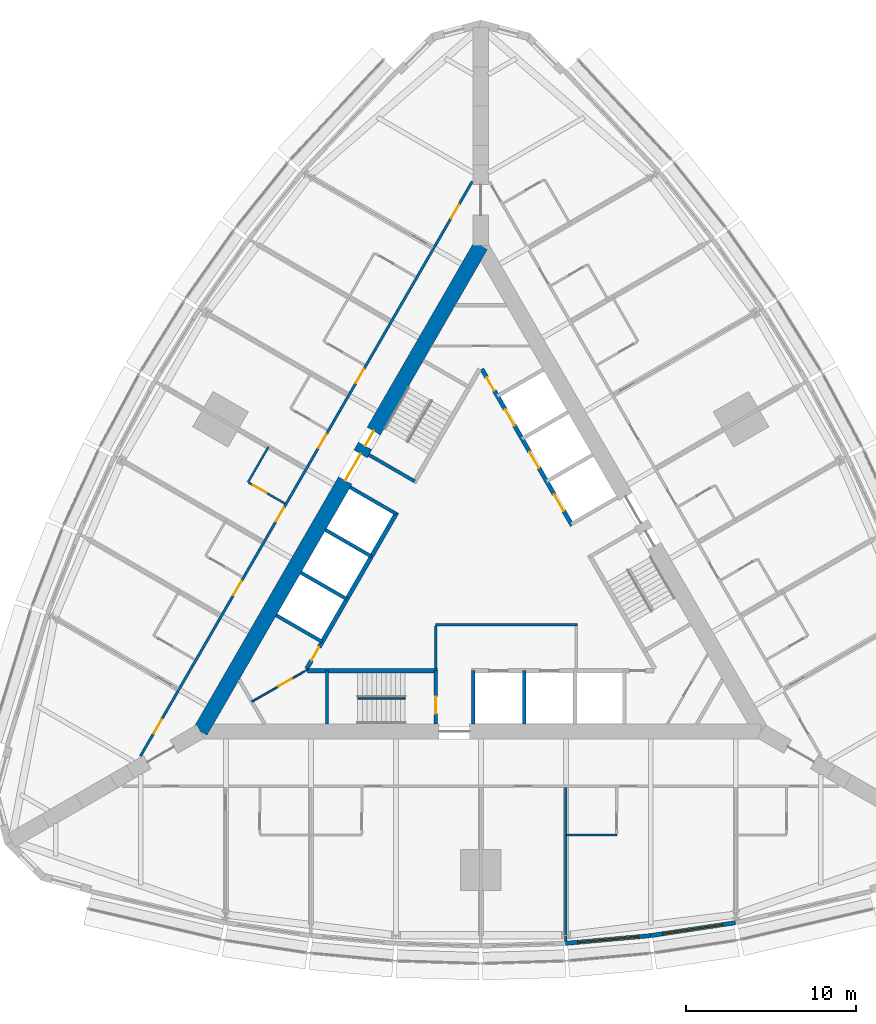
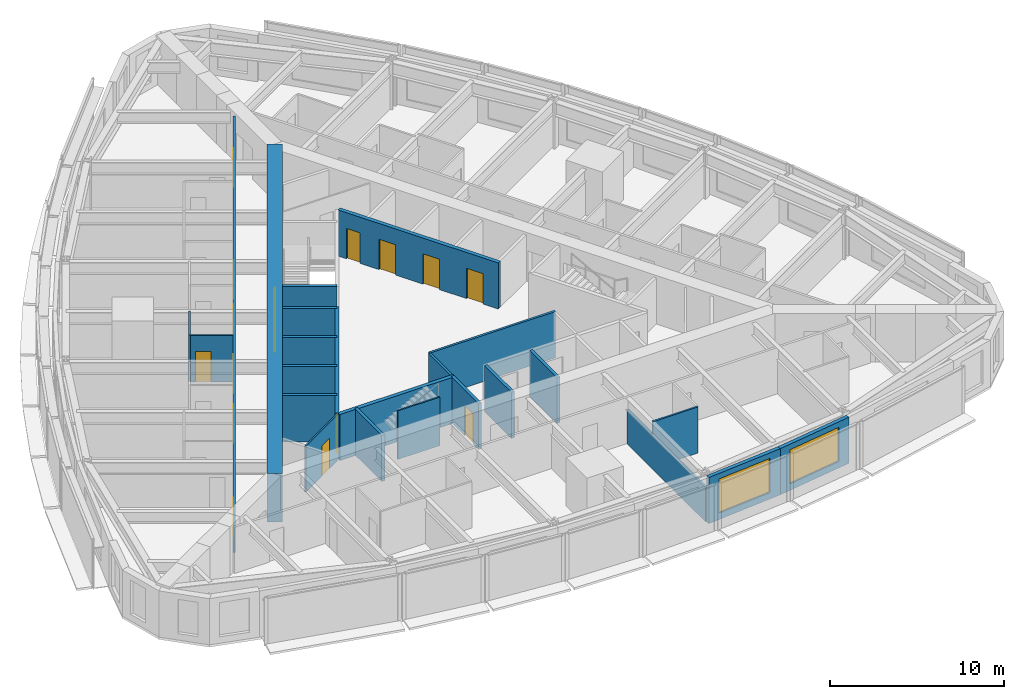
# One storey, part 9 of 14: 24 walls, 16 doors, 2 windows, 18 openings.
"""IFC4 building model written with IfcOpenShell, lengths in metres."""

import ifcopenshell
import ifcopenshell.guid

model = None  # the IFC model being written
_history = None  # IfcOwnerHistory: only IFC2X3 demands one
_inside = {}  # id of a spatial element -> (the spatial element, [elements in it])
_under = {}  # id of a project, library or spatial element -> (it, [spatial elements below it])
_declared = {}  # id of a project -> (the project, [libraries it declares])
_typed = {}  # id of a type object -> (the type object, [elements of that type])
_made_of = {}  # id of a material, layer set ... -> (it, [elements and type objects made of it])


def new_model(schema):
    """Start an empty IFC model of exactly this schema.

    Asked for "IFC4X3", IfcOpenShell would pick the latest addendum, in which some entities
    have other attributes; the version numbers below select the first issue.
    IFC2X3 requires an IfcOwnerHistory on every rooted entity: one is made here for all.
    """
    global model, _history
    if schema == "IFC4X3":
        model = ifcopenshell.file(schema_version=(4, 3, 0, 0))
    else:
        model = ifcopenshell.file(schema=schema)
    _inside.clear()
    _under.clear()
    _declared.clear()
    _typed.clear()
    _made_of.clear()
    _history = None
    if model.schema == "IFC2X3":
        org = make("IfcOrganization", Name="unknown")
        user = make(
            "IfcPersonAndOrganization",
            ThePerson=make("IfcPerson", FamilyName="unknown"),
            TheOrganization=org,
        )
        app = make(
            "IfcApplication",
            ApplicationDeveloper=org,
            Version="unknown",
            ApplicationFullName="unknown",
            ApplicationIdentifier="unknown",
        )
        _history = make(
            "IfcOwnerHistory",
            OwningUser=user,
            OwningApplication=app,
            ChangeAction="ADDED",
            CreationDate=0,
        )
    return model


def make(cls, **values):
    """One entity of the class cls with the attributes given. An attribute that is None is left unset."""
    return model.create_entity(
        cls, **{name: value for name, value in values.items() if value is not None}
    )


def rooted(cls, **values):
    """An entity with a GlobalId (a new one), such as an element, a storey or a relation."""
    return make(cls, GlobalId=ifcopenshell.guid.new(), OwnerHistory=_history, **values)


def si_unit(unit_type, name, prefix=None):
    """IfcSIUnit, for example si_unit("LENGTHUNIT", "METRE", prefix="MILLI")."""
    return make("IfcSIUnit", UnitType=unit_type, Prefix=prefix, Name=name)


def assignment(units):
    """IfcUnitAssignment: the units of a project."""
    return None if units is None else make("IfcUnitAssignment", Units=units)


def point(xyz):
    """IfcCartesianPoint."""
    return None if xyz is None else make("IfcCartesianPoint", Coordinates=xyz)


def direction(xyz):
    """IfcDirection."""
    return None if xyz is None else make("IfcDirection", DirectionRatios=xyz)


def frame(location, z_axis=None, x_axis=None):
    """IfcAxis2Placement3D, a coordinate frame: its origin and axes. An axis left out is left unset."""
    return make(
        "IfcAxis2Placement3D",
        Location=point(location),
        Axis=direction(z_axis),
        RefDirection=direction(x_axis),
    )


def frame_2d(location, x_axis=None):
    """IfcAxis2Placement2D, a coordinate frame in the plane: its origin and x axis."""
    return make(
        "IfcAxis2Placement2D", Location=point(location), RefDirection=direction(x_axis)
    )


def origin():
    """The frame at (0, 0, 0) with its axes left unset."""
    return frame((0.0, 0.0, 0.0))


def place(relative_to, where):
    """IfcLocalPlacement: puts the frame where relative to a parent placement (None: the world)."""
    return make(
        "IfcLocalPlacement", PlacementRelTo=relative_to, RelativePlacement=where
    )


def context(
    kind, dimensions, precision=None, world=None, true_north=None, identifier=None
):
    """IfcGeometricRepresentationContext, for example the 3D "Model" context."""
    return make(
        "IfcGeometricRepresentationContext",
        ContextIdentifier=identifier,
        ContextType=kind,
        CoordinateSpaceDimension=dimensions,
        Precision=precision,
        WorldCoordinateSystem=world,
        TrueNorth=true_north,
    )


def subcontext(parent, identifier, kind, view, scale=None):
    """IfcGeometricRepresentationSubContext, for example "Body" below "Model"."""
    return make(
        "IfcGeometricRepresentationSubContext",
        ContextIdentifier=identifier,
        ContextType=kind,
        ParentContext=parent,
        TargetScale=scale,
        TargetView=view,
    )


def project(units=None, contexts=None):
    """IfcProject with its units and contexts."""
    return rooted(
        "IfcProject",
        Name="project",
        RepresentationContexts=contexts,
        UnitsInContext=assignment(units),
    )


def spatial(cls, under=None, at=None, **own):
    """A site, building, storey or space (cls), placed at a placement, below another one or the project."""
    s = rooted(cls, ObjectPlacement=at, **own)
    if under is not None:
        _under.setdefault(under.id(), (under, []))[1].append(s)
    return s


def profile(cls, at=None, kind="AREA", **sizes):
    """A parametric profile (cls). Its sizes go by their IFC names, for example OverallWidth=200.0."""
    return make(cls, ProfileType=kind, Position=at, **sizes)


def rectangle(**sizes):
    """IfcRectangleProfileDef."""
    return profile("IfcRectangleProfileDef", **sizes)


def extrude(swept, where, along, depth):
    """IfcExtrudedAreaSolid: the profile swept, set in the frame where, extruded along a direction by depth."""
    return make(
        "IfcExtrudedAreaSolid",
        SweptArea=swept,
        Position=where,
        ExtrudedDirection=direction(along),
        Depth=depth,
    )


def shape(context_of_items, identifier, shape_type, items):
    """IfcShapeRepresentation: the items that make up one representation, for example the "Body"."""
    return make(
        "IfcShapeRepresentation",
        ContextOfItems=context_of_items,
        RepresentationIdentifier=identifier,
        RepresentationType=shape_type,
        Items=items,
    )


def material(Name=None, Category=None):
    """IfcMaterial."""
    return make("IfcMaterial", Name=Name, Category=Category)


def layer(
    of_material, thickness, ventilated=None, Name=None, Category=None, Priority=None
):
    """IfcMaterialLayer: one layer of a wall or slab, of a material (None: an air gap)."""
    return make(
        "IfcMaterialLayer",
        Material=of_material,
        LayerThickness=thickness,
        IsVentilated=ventilated,
        Name=Name,
        Category=Category,
        Priority=Priority,
    )


def layer_set(layers, Name=None):
    """IfcMaterialLayerSet."""
    return make("IfcMaterialLayerSet", MaterialLayers=layers, LayerSetName=Name)


def made_of(thing, what):
    """Note that an element or type object is made of a material, layer set ...; save() writes the relation."""
    if what is not None:
        _made_of.setdefault(what.id(), (what, []))[1].append(thing)
    return thing


def type_object(cls, material=None, **own):
    """A type object (cls), such as IfcWallType, which elements share."""
    return made_of(rooted(cls, **own), material)


def element(
    cls,
    number,
    at=None,
    inside=None,
    cuts=None,
    type_object=None,
    material=None,
    context=None,
    identifier="Body",
    shape_type=None,
    held_by="IfcProductDefinitionShape",
    body=None,
    shapes=None,
    **own,
):
    """One element of the class cls, such as IfcWall. Its Tag is "e" and its number.

    at: its placement. inside: the storey or other place that contains it. cuts: it is an
    opening in that element (IfcRelVoidsElement). A single representation is given by context,
    identifier, shape_type and body (its items); several are given by shapes. held_by: the class
    of the entity that holds the representations. save() writes the other relations.
    """
    e = rooted(cls, Tag="e%d" % number, ObjectPlacement=at, **own)
    if body is not None:
        shapes = [shape(context, identifier, shape_type, body)]
    if shapes is not None:
        e.Representation = make(held_by, Representations=shapes)
    if inside is not None:
        _inside.setdefault(inside.id(), (inside, []))[1].append(e)
    if cuts is not None:
        rooted(
            "IfcRelVoidsElement", RelatingBuildingElement=cuts, RelatedOpeningElement=e
        )
    if type_object is not None:
        _typed.setdefault(type_object.id(), (type_object, []))[1].append(e)
    return made_of(e, material)


def fill(opening, filler):
    """IfcRelFillsElement: the door or window that sits in an opening."""
    return rooted(
        "IfcRelFillsElement",
        RelatingOpeningElement=opening,
        RelatedBuildingElement=filler,
    )


def aggregate(whole, parts):
    """IfcRelAggregates: a whole, such as a stair, and the parts it consists of."""
    return rooted("IfcRelAggregates", RelatingObject=whole, RelatedObjects=parts)


def save(model, path):
    """Write the relations noted so far, then the file.

    IfcRelAggregates (storeys below a building ...), IfcRelContainedInSpatialStructure (elements
    in a storey), IfcRelDefinesByType, IfcRelAssociatesMaterial and IfcRelDeclares: one each for
    every whole, place, type object, material and project.
    """
    for whole, parts in _under.values():
        aggregate(whole, parts)
    for where, things in _inside.values():
        rooted(
            "IfcRelContainedInSpatialStructure",
            RelatedElements=things,
            RelatingStructure=where,
        )
    for kind, things in _typed.values():
        rooted("IfcRelDefinesByType", RelatedObjects=things, RelatingType=kind)
    for what, things in _made_of.values():
        rooted("IfcRelAssociatesMaterial", RelatedObjects=things, RelatingMaterial=what)
    for by, libraries in _declared.values():
        rooted("IfcRelDeclares", RelatingContext=by, RelatedDefinitions=libraries)
    model.write(path)


model = new_model("IFC4")

# Units and contexts
model_context = context("Model", 3, precision=1e-05, world=origin(), true_north=direction((0.0, 1.0)))
body_context = subcontext(model_context, "Body", "Model", "MODEL_VIEW")
ifc_project = project(units=[si_unit("LENGTHUNIT", "METRE"), si_unit("AREAUNIT", "SQUARE_METRE"), si_unit("VOLUMEUNIT", "CUBIC_METRE"), si_unit("PLANEANGLEUNIT", "RADIAN"), si_unit("MASSUNIT", "GRAM", prefix="KILO")], contexts=[model_context])

# Site, building, storey
site_placement = place(None, origin())
site = spatial("IfcSite", under=ifc_project, at=site_placement, CompositionType="ELEMENT")
building_placement = place(site_placement, origin())
building = spatial("IfcBuilding", under=site, at=building_placement, Name="Trikona Tower", CompositionType="ELEMENT")
storey_placement = place(building_placement, frame((0.0, 0.0, 55.699951171875)))
storey = spatial("IfcBuildingStorey", under=building, at=storey_placement, Name="L13", CompositionType="ELEMENT", Elevation=55.699951171875)

# Walls
ifc_material_1 = material(Name="Metal stud and cement board", Category="gypsum")
ifc_layer_1 = layer(ifc_material_1, 0.1201171875)
ifc_layer_set_1 = layer_set([ifc_layer_1], Name="Bathroom wall 120")
wall_type_1 = type_object("IfcWallType", Name="Bathroom wall 120", PredefinedType="PLUMBINGWALL", material=ifc_layer_set_1)
wall_1_placement = place(storey_placement, frame((5.0, -15.626220703125, 0.0), z_axis=(0.0, 0.0, 1.0), x_axis=(1.0, 0.0, 0.0)))
element("IfcWall", 1, at=wall_1_placement, inside=storey, type_object=wall_type_1, Name="Bathroom wall 1303", PredefinedType="PLUMBINGWALL", context=body_context, shape_type="SweptSolid", body=[
    extrude(rectangle(XDim=3.0, YDim=0.1201171875, at=frame_2d((1.5, 0.0))), origin(), (0.0, 0.0, 1.0), 3.235107421875),
])
wall_2_placement = place(storey_placement, frame((-12.493408203125, 7.213134765625, 0.0), z_axis=(0.0, 0.0, 1.0), x_axis=(-0.500077600433, -0.865980596518, 0.0)))
element("IfcWall", 2, at=wall_2_placement, inside=storey, type_object=wall_type_1, Name="Bathroom wall 1314", PredefinedType="PLUMBINGWALL", context=body_context, shape_type="SweptSolid", body=[
    extrude(rectangle(XDim=2.39990234375, YDim=0.1201171875, at=frame_2d((1.199951171875, 0.0))), origin(), (0.0, 0.0, 1.0), 3.235107421875),
])

# Wall, opening, door
wall_3_placement = place(storey_placement, frame((-11.528564453125, 3.884765625, 0.0), z_axis=(0.0, 0.0, 1.0), x_axis=(-0.866023955769, 0.500002508028, 0.0)))
wall_3 = element("IfcWall", 3, at=wall_3_placement, inside=storey, type_object=wall_type_1, Name="Bathroom wall 1314", PredefinedType="PLUMBINGWALL", context=body_context, shape_type="SweptSolid", body=[
    extrude(rectangle(XDim=2.43994140625, YDim=0.1201171875, at=frame_2d((1.219970703125, 0.0))), origin(), (0.0, 0.0, 1.0), 3.235107421875),
])
opening_1_placement = place(wall_3_placement, frame((1.25, 0.0, 0.0)))
opening_1 = element("IfcOpeningElement", 4, at=opening_1_placement, cuts=wall_3, Name="Opening D2", PredefinedType="OPENING", context=body_context, shape_type="SweptSolid", body=[
    extrude(rectangle(XDim=0.89990234375, YDim=2.1298828125, at=frame_2d((0.449951171875, 1.06494140625))), frame((0.0, 0.070068359375, 0.0), z_axis=(0.0, -1.0, 0.0), x_axis=(1.0, 0.0, 0.0)), (0.0, 0.0, 1.0), 0.14013671875),
])
ifc_material_2 = material(Name="Steel door frame with solid-core timber leaf", Category="steel")
door_type_1 = type_object("IfcDoorType", Name="Bathroom door 900x2130", OperationType="SLIDING_TO_LEFT", PredefinedType="DOOR", material=ifc_material_2)
door_1_placement = place(opening_1_placement, origin())
door_1 = element("IfcDoor", 5, at=door_1_placement, inside=storey, type_object=door_type_1, Name="Bathroom door 1314", OperationType="SLIDING_TO_LEFT", OverallHeight=2.1298828125, OverallWidth=0.89990234375, PredefinedType="DOOR", context=body_context, shape_type="SweptSolid", body=[
    extrude(rectangle(XDim=0.89990234375, YDim=2.1298828125, at=frame_2d((0.449951171875, 1.06494140625))), frame((0.0, 0.02490234375, 0.0), z_axis=(0.0, -1.0, 0.0), x_axis=(1.0, 0.0, 0.0)), (0.0, 0.0, 1.0), 0.050048828125),
])
fill(opening_1, door_1)

# Wall, openings, doors
ifc_material_3 = material(Name="Concrete f'c 10000 psi", Category="concrete")
ifc_layer_2 = layer(ifc_material_3, 0.89990234375)
ifc_layer_set_2 = layer_set([ifc_layer_2], Name="Core wall 900")
wall_type_2 = type_object("IfcWallType", Name="Core wall 900", PredefinedType="SHEAR", material=ifc_layer_set_2)
wall_4_placement = place(storey_placement, frame((0.0, 19.052490234375, 0.0), z_axis=(0.0, 0.0, 1.0), x_axis=(-0.499999749417, -0.866025548458, 0.0)))
wall_4 = element("IfcWall", 6, at=wall_4_placement, inside=storey, type_object=wall_type_2, Name="Core wall C", PredefinedType="SHEAR", context=body_context, shape_type="SweptSolid", body=[
    extrude(rectangle(XDim=33.0, YDim=0.89990234375, at=frame_2d((16.5, 0.0))), origin(), (0.0, 0.0, 1.0), 3.400146484375),
])
opening_2_placement = place(wall_4_placement, frame((14.14990234375, 0.0, 0.0)))
opening_2 = element("IfcOpeningElement", 7, at=opening_2_placement, cuts=wall_4, Name="Opening D6", PredefinedType="OPENING", context=body_context, shape_type="SweptSolid", body=[
    extrude(rectangle(XDim=1.800048828125, YDim=2.1298828125, at=frame_2d((0.89990234375, 1.06494140625))), frame((0.0, 0.4599609375, 0.0), z_axis=(0.0, -1.0, 0.0), x_axis=(1.0, 0.0, 0.0)), (0.0, 0.0, 1.0), 0.919921875),
])
opening_3_placement = place(wall_4_placement, frame((12.60009765625, 0.0, 0.0)))
opening_3 = element("IfcOpeningElement", 8, at=opening_3_placement, cuts=wall_4, Name="Opening D5", PredefinedType="OPENING", context=body_context, shape_type="SweptSolid", body=[
    extrude(rectangle(XDim=1.0, YDim=2.1298828125, at=frame_2d((0.5, 1.06494140625))), frame((0.0, 0.4599609375, 0.0), z_axis=(0.0, -1.0, 0.0), x_axis=(1.0, 0.0, 0.0)), (0.0, 0.0, 1.0), 0.919921875),
])
ifc_material_4 = material(Name="Hollow metal door and frame", Category="steel")
door_type_2 = type_object("IfcDoorType", Name="Lobby door pair 1800x2130", OperationType="DOUBLE_DOOR_SINGLE_SWING", PredefinedType="DOOR", material=ifc_material_4)
door_2_placement = place(opening_2_placement, origin())
door_2 = element("IfcDoor", 9, at=door_2_placement, inside=storey, type_object=door_type_2, Name="Lift lobby door C", OperationType="DOUBLE_DOOR_SINGLE_SWING", OverallHeight=2.1298828125, OverallWidth=1.800048828125, PredefinedType="DOOR", context=body_context, shape_type="SweptSolid", body=[
    extrude(rectangle(XDim=1.800048828125, YDim=2.1298828125, at=frame_2d((0.89990234375, 1.06494140625))), frame((0.0, 0.02490234375, 0.0), z_axis=(0.0, -1.0, 0.0), x_axis=(1.0, 0.0, 0.0)), (0.0, 0.0, 1.0), 0.050048828125),
])
fill(opening_2, door_2)
ifc_material_5 = material(Name="Hollow metal door and frame", Category="steel")
door_type_3 = type_object("IfcDoorType", Name="Stair door 1000x2130", OperationType="SINGLE_SWING_LEFT", PredefinedType="DOOR", material=ifc_material_5)
door_3_placement = place(opening_3_placement, origin())
door_3 = element("IfcDoor", 10, at=door_3_placement, inside=storey, type_object=door_type_3, Name="Stair C door", OperationType="SINGLE_SWING_RIGHT", OverallHeight=2.1298828125, OverallWidth=1.0, PredefinedType="DOOR", context=body_context, shape_type="SweptSolid", body=[
    extrude(rectangle(XDim=1.0, YDim=2.1298828125, at=frame_2d((0.5, 1.06494140625))), frame((0.0, 0.02490234375, 0.0), z_axis=(0.0, -1.0, 0.0), x_axis=(1.0, 0.0, 0.0)), (0.0, 0.0, 1.0), 0.050048828125),
])
fill(opening_3, door_3)

ifc_material_6 = material(Name="Metal stud and gypsum board, 1-hour", Category="gypsum")
ifc_layer_3 = layer(ifc_material_6, 0.14990234375)
ifc_layer_set_3 = layer_set([ifc_layer_3], Name="Corridor wall 150")
wall_type_3 = type_object("IfcWallType", Name="Corridor wall 150", PredefinedType="PARTITIONING", material=ifc_layer_set_3)
wall_5_placement = place(storey_placement, frame((-0.5, 22.83642578125, 0.0), z_axis=(0.0, 0.0, 1.0), x_axis=(-0.500001677587, -0.866024435227, 0.0)))
wall_5 = element("IfcWall", 11, at=wall_5_placement, inside=storey, type_object=wall_type_3, Name="Corridor wall L13-3", PredefinedType="PARTITIONING", context=body_context, shape_type="SweptSolid", body=[
    extrude(rectangle(XDim=39.053955078125, YDim=0.14990234375, at=frame_2d((19.52685546875, 0.0))), origin(), (0.0, 0.0, 1.0), 3.235107421875),
])
opening_4_placement = place(wall_5_placement, frame((1.558349609375, 0.0, 0.0)))
opening_4 = element("IfcOpeningElement", 12, at=opening_4_placement, cuts=wall_5, Name="Opening D1", PredefinedType="OPENING", context=body_context, shape_type="SweptSolid", body=[
    extrude(rectangle(XDim=0.949951171875, YDim=2.1298828125, at=frame_2d((0.47509765625, 1.06494140625))), frame((0.0, 0.0849609375, 0.0), z_axis=(0.0, -1.0, 0.0), x_axis=(1.0, 0.0, 0.0)), (0.0, 0.0, 1.0), 0.169921875),
])
opening_5_placement = place(wall_5_placement, frame((12.751953125, 0.0, 0.0)))
opening_5 = element("IfcOpeningElement", 13, at=opening_5_placement, cuts=wall_5, Name="Opening D1", PredefinedType="OPENING", context=body_context, shape_type="SweptSolid", body=[
    extrude(rectangle(XDim=0.949951171875, YDim=2.1298828125, at=frame_2d((0.47509765625, 1.06494140625))), frame((0.0, 0.0849609375, 0.0), z_axis=(0.0, -1.0, 0.0), x_axis=(1.0, 0.0, 0.0)), (0.0, 0.0, 1.0), 0.169921875),
])
opening_6_placement = place(wall_5_placement, frame((17.152099609375, 0.0, 0.0)))
opening_6 = element("IfcOpeningElement", 14, at=opening_6_placement, cuts=wall_5, Name="Opening D1", PredefinedType="OPENING", context=body_context, shape_type="SweptSolid", body=[
    extrude(rectangle(XDim=0.949951171875, YDim=2.1298828125, at=frame_2d((0.47509765625, 1.06494140625))), frame((0.0, 0.0849609375, 0.0), z_axis=(0.0, -1.0, 0.0), x_axis=(1.0, 0.0, 0.0)), (0.0, 0.0, 1.0), 0.169921875),
])
opening_7_placement = place(wall_5_placement, frame((22.152099609375, 0.0, 0.0)))
opening_7 = element("IfcOpeningElement", 15, at=opening_7_placement, cuts=wall_5, Name="Opening D1", PredefinedType="OPENING", context=body_context, shape_type="SweptSolid", body=[
    extrude(rectangle(XDim=0.949951171875, YDim=2.1298828125, at=frame_2d((0.47509765625, 1.06494140625))), frame((0.0, 0.0849609375, 0.0), z_axis=(0.0, -1.0, 0.0), x_axis=(1.0, 0.0, 0.0)), (0.0, 0.0, 1.0), 0.169921875),
])
opening_8_placement = place(wall_5_placement, frame((27.152099609375, 0.0, 0.0)))
opening_8 = element("IfcOpeningElement", 16, at=opening_8_placement, cuts=wall_5, Name="Opening D1", PredefinedType="OPENING", context=body_context, shape_type="SweptSolid", body=[
    extrude(rectangle(XDim=0.949951171875, YDim=2.1298828125, at=frame_2d((0.47509765625, 1.06494140625))), frame((0.0, 0.0849609375, 0.0), z_axis=(0.0, -1.0, 0.0), x_axis=(1.0, 0.0, 0.0)), (0.0, 0.0, 1.0), 0.169921875),
])
opening_9_placement = place(wall_5_placement, frame((36.545654296875, 0.0, 0.0)))
opening_9 = element("IfcOpeningElement", 17, at=opening_9_placement, cuts=wall_5, Name="Opening D1", PredefinedType="OPENING", context=body_context, shape_type="SweptSolid", body=[
    extrude(rectangle(XDim=0.949951171875, YDim=2.1298828125, at=frame_2d((0.47509765625, 1.06494140625))), frame((0.0, 0.0849609375, 0.0), z_axis=(0.0, -1.0, 0.0), x_axis=(1.0, 0.0, 0.0)), (0.0, 0.0, 1.0), 0.169921875),
])
ifc_material_7 = material(Name="Steel door frame with solid-core timber leaf", Category="steel")
door_type_4 = type_object("IfcDoorType", Name="Guest room door 950x2130", OperationType="SINGLE_SWING_LEFT", PredefinedType="DOOR", material=ifc_material_7)
door_4_placement = place(opening_4_placement, origin())
door_4 = element("IfcDoor", 18, at=door_4_placement, inside=storey, type_object=door_type_4, Name="Room door 1311", OperationType="SINGLE_SWING_LEFT", OverallHeight=2.1298828125, OverallWidth=0.949951171875, PredefinedType="DOOR", context=body_context, shape_type="SweptSolid", body=[
    extrude(rectangle(XDim=0.949951171875, YDim=2.1298828125, at=frame_2d((0.47509765625, 1.06494140625))), frame((0.0, 0.02490234375, 0.0), z_axis=(0.0, -1.0, 0.0), x_axis=(1.0, 0.0, 0.0)), (0.0, 0.0, 1.0), 0.050048828125),
])
fill(opening_4, door_4)
door_5_placement = place(opening_5_placement, origin())
door_5 = element("IfcDoor", 19, at=door_5_placement, inside=storey, type_object=door_type_4, Name="Room door 1312", OperationType="SINGLE_SWING_RIGHT", OverallHeight=2.1298828125, OverallWidth=0.949951171875, PredefinedType="DOOR", context=body_context, shape_type="SweptSolid", body=[
    extrude(rectangle(XDim=0.949951171875, YDim=2.1298828125, at=frame_2d((0.47509765625, 1.06494140625))), frame((0.0, 0.02490234375, 0.0), z_axis=(0.0, -1.0, 0.0), x_axis=(1.0, 0.0, 0.0)), (0.0, 0.0, 1.0), 0.050048828125),
])
fill(opening_5, door_5)
door_6_placement = place(opening_6_placement, origin())
door_6 = element("IfcDoor", 20, at=door_6_placement, inside=storey, type_object=door_type_4, Name="Room door 1313", OperationType="SINGLE_SWING_LEFT", OverallHeight=2.1298828125, OverallWidth=0.949951171875, PredefinedType="DOOR", context=body_context, shape_type="SweptSolid", body=[
    extrude(rectangle(XDim=0.949951171875, YDim=2.1298828125, at=frame_2d((0.47509765625, 1.06494140625))), frame((0.0, 0.02490234375, 0.0), z_axis=(0.0, -1.0, 0.0), x_axis=(1.0, 0.0, 0.0)), (0.0, 0.0, 1.0), 0.050048828125),
])
fill(opening_6, door_6)
door_7_placement = place(opening_7_placement, origin())
door_7 = element("IfcDoor", 21, at=door_7_placement, inside=storey, type_object=door_type_4, Name="Room door 1314", OperationType="SINGLE_SWING_RIGHT", OverallHeight=2.1298828125, OverallWidth=0.949951171875, PredefinedType="DOOR", context=body_context, shape_type="SweptSolid", body=[
    extrude(rectangle(XDim=0.949951171875, YDim=2.1298828125, at=frame_2d((0.47509765625, 1.06494140625))), frame((0.0, 0.02490234375, 0.0), z_axis=(0.0, -1.0, 0.0), x_axis=(1.0, 0.0, 0.0)), (0.0, 0.0, 1.0), 0.050048828125),
])
fill(opening_7, door_7)
door_8_placement = place(opening_8_placement, origin())
door_8 = element("IfcDoor", 22, at=door_8_placement, inside=storey, type_object=door_type_4, Name="Room door 1315", OperationType="SINGLE_SWING_LEFT", OverallHeight=2.1298828125, OverallWidth=0.949951171875, PredefinedType="DOOR", context=body_context, shape_type="SweptSolid", body=[
    extrude(rectangle(XDim=0.949951171875, YDim=2.1298828125, at=frame_2d((0.47509765625, 1.06494140625))), frame((0.0, 0.02490234375, 0.0), z_axis=(0.0, -1.0, 0.0), x_axis=(1.0, 0.0, 0.0)), (0.0, 0.0, 1.0), 0.050048828125),
])
fill(opening_8, door_8)
door_9_placement = place(opening_9_placement, origin())
door_9 = element("IfcDoor", 23, at=door_9_placement, inside=storey, type_object=door_type_4, Name="Room door 1316", OperationType="SINGLE_SWING_RIGHT", OverallHeight=2.1298828125, OverallWidth=0.949951171875, PredefinedType="DOOR", context=body_context, shape_type="SweptSolid", body=[
    extrude(rectangle(XDim=0.949951171875, YDim=2.1298828125, at=frame_2d((0.47509765625, 1.06494140625))), frame((0.0, 0.02490234375, 0.0), z_axis=(0.0, -1.0, 0.0), x_axis=(1.0, 0.0, 0.0)), (0.0, 0.0, 1.0), 0.050048828125),
])
fill(opening_9, door_9)

# Wall
ifc_material_8 = material(Name="Concrete f'c 8000 psi", Category="concrete")
ifc_layer_4 = layer(ifc_material_8, 0.25)
ifc_layer_set_4 = layer_set([ifc_layer_4], Name="Hub wall 250")
wall_type_4 = type_object("IfcWallType", Name="Hub wall 250", PredefinedType="SOLIDWALL", material=ifc_layer_set_4)
wall_6_placement = place(storey_placement, frame((-10.182861328125, -5.951416015625, 0.0), z_axis=(0.0, 0.0, 1.0), x_axis=(1.0, 0.0, 0.0)))
element("IfcWall", 24, at=wall_6_placement, inside=storey, type_object=wall_type_4, Name="Lift lobby wall A1", PredefinedType="SOLIDWALL", context=body_context, shape_type="SweptSolid", body=[
    extrude(rectangle(XDim=7.6328125, YDim=0.25, at=frame_2d((3.81640625, 0.0))), origin(), (0.0, 0.0, 1.0), 3.235107421875),
])

# Wall, openings, doors
wall_7_placement = place(storey_placement, frame((5.37890625, 2.5859375, 0.0), z_axis=(0.0, 0.0, 1.0), x_axis=(-0.500001375892, 0.866024609411, 0.0)))
wall_7 = element("IfcWall", 25, at=wall_7_placement, inside=storey, type_object=wall_type_4, Name="Lift lobby wall B2", PredefinedType="SOLIDWALL", context=body_context, shape_type="SweptSolid", body=[
    extrude(rectangle(XDim=10.6328125, YDim=0.25, at=frame_2d((5.31640625, 0.0))), origin(), (0.0, 0.0, 1.0), 3.235107421875),
])
opening_10_placement = place(wall_7_placement, frame((9.1640625, 0.0, 0.0)))
opening_10 = element("IfcOpeningElement", 26, at=opening_10_placement, cuts=wall_7, Name="Opening D14", PredefinedType="OPENING", context=body_context, shape_type="SweptSolid", body=[
    extrude(rectangle(XDim=0.89990234375, YDim=2.1298828125, at=frame_2d((0.449951171875, 1.06494140625))), frame((0.0, 0.135009765625, 0.0), z_axis=(0.0, -1.0, 0.0), x_axis=(1.0, 0.0, 0.0)), (0.0, 0.0, 1.0), 0.27001953125),
])
opening_11_placement = place(wall_7_placement, frame((1.0, 0.0, 0.0)))
opening_11 = element("IfcOpeningElement", 27, at=opening_11_placement, cuts=wall_7, Name="Opening LD", PredefinedType="OPENING", context=body_context, shape_type="SweptSolid", body=[
    extrude(rectangle(XDim=1.10009765625, YDim=2.1298828125, at=frame_2d((0.550048828125, 1.06494140625))), frame((0.0, 0.135009765625, 0.0), z_axis=(0.0, -1.0, 0.0), x_axis=(1.0, 0.0, 0.0)), (0.0, 0.0, 1.0), 0.27001953125),
])
opening_12_placement = place(wall_7_placement, frame((3.89990234375, 0.0, 0.0)))
opening_12 = element("IfcOpeningElement", 28, at=opening_12_placement, cuts=wall_7, Name="Opening LD", PredefinedType="OPENING", context=body_context, shape_type="SweptSolid", body=[
    extrude(rectangle(XDim=1.10009765625, YDim=2.1298828125, at=frame_2d((0.550048828125, 1.06494140625))), frame((0.0, 0.135009765625, 0.0), z_axis=(0.0, -1.0, 0.0), x_axis=(1.0, 0.0, 0.0)), (0.0, 0.0, 1.0), 0.27001953125),
])
opening_13_placement = place(wall_7_placement, frame((6.800048828125, 0.0, 0.0)))
opening_13 = element("IfcOpeningElement", 29, at=opening_13_placement, cuts=wall_7, Name="Opening LD", PredefinedType="OPENING", context=body_context, shape_type="SweptSolid", body=[
    extrude(rectangle(XDim=1.10009765625, YDim=2.1298828125, at=frame_2d((0.550048828125, 1.06494140625))), frame((0.0, 0.135009765625, 0.0), z_axis=(0.0, -1.0, 0.0), x_axis=(1.0, 0.0, 0.0)), (0.0, 0.0, 1.0), 0.27001953125),
])
ifc_material_9 = material(Name="Stainless steel lift landing door", Category="steel")
door_type_5 = type_object("IfcDoorType", Name="Lift landing door 1100x2130", OperationType="DOUBLE_DOOR_SLIDING", PredefinedType="USERDEFINED", material=ifc_material_9)
door_10_placement = place(opening_11_placement, origin())
door_10 = element("IfcDoor", 30, at=door_10_placement, inside=storey, type_object=door_type_5, Name="Lift landing door L1-1", ObjectType="LIFT LANDING DOOR", OperationType="DOUBLE_DOOR_SLIDING", OverallHeight=2.1298828125, OverallWidth=1.10009765625, PredefinedType="USERDEFINED", context=body_context, shape_type="SweptSolid", body=[
    extrude(rectangle(XDim=1.10009765625, YDim=2.1298828125, at=frame_2d((0.550048828125, 1.06494140625))), frame((0.0, 0.02490234375, 0.0), z_axis=(0.0, -1.0, 0.0), x_axis=(1.0, 0.0, 0.0)), (0.0, 0.0, 1.0), 0.050048828125),
])
fill(opening_11, door_10)
door_11_placement = place(opening_12_placement, origin())
door_11 = element("IfcDoor", 31, at=door_11_placement, inside=storey, type_object=door_type_5, Name="Lift landing door L1-2", ObjectType="LIFT LANDING DOOR", OperationType="DOUBLE_DOOR_SLIDING", OverallHeight=2.1298828125, OverallWidth=1.10009765625, PredefinedType="USERDEFINED", context=body_context, shape_type="SweptSolid", body=[
    extrude(rectangle(XDim=1.10009765625, YDim=2.1298828125, at=frame_2d((0.550048828125, 1.06494140625))), frame((0.0, 0.02490234375, 0.0), z_axis=(0.0, -1.0, 0.0), x_axis=(1.0, 0.0, 0.0)), (0.0, 0.0, 1.0), 0.050048828125),
])
fill(opening_12, door_11)
door_12_placement = place(opening_13_placement, origin())
door_12 = element("IfcDoor", 32, at=door_12_placement, inside=storey, type_object=door_type_5, Name="Lift landing door L1-3", ObjectType="LIFT LANDING DOOR", OperationType="DOUBLE_DOOR_SLIDING", OverallHeight=2.1298828125, OverallWidth=1.10009765625, PredefinedType="USERDEFINED", context=body_context, shape_type="SweptSolid", body=[
    extrude(rectangle(XDim=1.10009765625, YDim=2.1298828125, at=frame_2d((0.550048828125, 1.06494140625))), frame((0.0, 0.02490234375, 0.0), z_axis=(0.0, -1.0, 0.0), x_axis=(1.0, 0.0, 0.0)), (0.0, 0.0, 1.0), 0.050048828125),
])
fill(opening_13, door_12)
ifc_material_10 = material(Name="Hollow metal door and frame", Category="steel")
door_type_6 = type_object("IfcDoorType", Name="Service room door 900x2130", OperationType="SINGLE_SWING_LEFT", PredefinedType="DOOR", material=ifc_material_10)
door_13_placement = place(opening_10_placement, origin())
door_13 = element("IfcDoor", 33, at=door_13_placement, inside=storey, type_object=door_type_6, Name="Door Linen store LIN", OperationType="SINGLE_SWING_RIGHT", OverallHeight=2.1298828125, OverallWidth=0.89990234375, PredefinedType="DOOR", context=body_context, shape_type="SweptSolid", body=[
    extrude(rectangle(XDim=0.89990234375, YDim=2.1298828125, at=frame_2d((0.449951171875, 1.06494140625))), frame((0.0, 0.02490234375, 0.0), z_axis=(0.0, -1.0, 0.0), x_axis=(1.0, 0.0, 0.0)), (0.0, 0.0, 1.0), 0.050048828125),
])
fill(opening_10, door_13)

# Wall, opening, door
wall_8_placement = place(storey_placement, frame((-4.928955078125, 3.365478515625, 0.0), z_axis=(0.0, 0.0, 1.0), x_axis=(-0.499991433582, -0.866030349552, 0.0)))
wall_8 = element("IfcWall", 34, at=wall_8_placement, inside=storey, type_object=wall_type_4, Name="Lift lobby wall C2", PredefinedType="SOLIDWALL", context=body_context, shape_type="SweptSolid", body=[
    extrude(rectangle(XDim=10.633056640625, YDim=0.25, at=frame_2d((5.31640625, 0.0))), origin(), (0.0, 0.0, 1.0), 3.235107421875),
])
opening_14_placement = place(wall_8_placement, frame((9.1640625, 0.0, 0.0)))
opening_14 = element("IfcOpeningElement", 35, at=opening_14_placement, cuts=wall_8, Name="Opening D14", PredefinedType="OPENING", context=body_context, shape_type="SweptSolid", body=[
    extrude(rectangle(XDim=0.89990234375, YDim=2.1298828125, at=frame_2d((0.449951171875, 1.06494140625))), frame((0.0, 0.135009765625, 0.0), z_axis=(0.0, -1.0, 0.0), x_axis=(1.0, 0.0, 0.0)), (0.0, 0.0, 1.0), 0.27001953125),
])
door_14_placement = place(opening_14_placement, origin())
door_14 = element("IfcDoor", 36, at=door_14_placement, inside=storey, type_object=door_type_6, Name="Door Housekeeping store HKS", OperationType="SINGLE_SWING_RIGHT", OverallHeight=2.1298828125, OverallWidth=0.89990234375, PredefinedType="DOOR", context=body_context, shape_type="SweptSolid", body=[
    extrude(rectangle(XDim=0.89990234375, YDim=2.1298828125, at=frame_2d((0.449951171875, 1.06494140625))), frame((0.0, 0.02490234375, 0.0), z_axis=(0.0, -1.0, 0.0), x_axis=(1.0, 0.0, 0.0)), (0.0, 0.0, 1.0), 0.050048828125),
])
fill(opening_14, door_14)

# Wall, opening, window
ifc_material_11 = material(Name="Insulated precast concrete spandrel panel", Category="concrete")
ifc_layer_5 = layer(ifc_material_11, 0.25)
ifc_layer_set_5 = layer_set([ifc_layer_5], Name="Inner skin wall 250")
wall_type_5 = type_object("IfcWallType", Name="Inner skin wall 250", PredefinedType="STANDARD", material=ifc_layer_set_5)
wall_9_placement = place(storey_placement, frame((4.988525390625, -21.995849609375, 0.0), z_axis=(0.0, 0.0, 1.0), x_axis=(0.995857256774, 0.090930325692, 0.0)))
wall_9 = element("IfcWall", 37, at=wall_9_placement, inside=storey, type_object=wall_type_5, Name="External wall L13-05", PredefinedType="STANDARD", context=body_context, shape_type="SweptSolid", body=[
    extrude(rectangle(XDim=5.020751953125, YDim=0.25, at=frame_2d((2.51025390625, 0.0))), origin(), (0.0, 0.0, 1.0), 3.235107421875),
])
opening_15_placement = place(wall_9_placement, frame((0.71044921875, 0.0, 0.449951171875)))
opening_15 = element("IfcOpeningElement", 38, at=opening_15_placement, cuts=wall_9, Name="Opening W3624", PredefinedType="OPENING", context=body_context, shape_type="SweptSolid", body=[
    extrude(rectangle(XDim=3.60009765625, YDim=2.39990234375, at=frame_2d((1.800048828125, 1.199951171875))), frame((0.0, 0.135009765625, 0.0), z_axis=(0.0, -1.0, 0.0), x_axis=(1.0, 0.0, 0.0)), (0.0, 0.0, 1.0), 0.27001953125),
])
ifc_material_12 = material(Name="Aluminium-framed double glazing", Category="aluminium")
window_type = type_object("IfcWindowType", Name="Window 3600x2400", PartitioningType="SINGLE_PANEL", PredefinedType="WINDOW", material=ifc_material_12)
window_1_placement = place(opening_15_placement, origin())
window_1 = element("IfcWindow", 39, at=window_1_placement, inside=storey, type_object=window_type, Name="Window 1303", OverallHeight=2.39990234375, OverallWidth=3.60009765625, PartitioningType="SINGLE_PANEL", PredefinedType="WINDOW", context=body_context, shape_type="SweptSolid", body=[
    extrude(rectangle(XDim=3.60009765625, YDim=2.39990234375, at=frame_2d((1.800048828125, 1.199951171875))), frame((0.0, 0.030029296875, 0.0), z_axis=(0.0, -1.0, 0.0), x_axis=(1.0, 0.0, 0.0)), (0.0, 0.0, 1.0), 0.06005859375),
])
fill(opening_15, window_1)

wall_10_placement = place(storey_placement, frame((9.981201171875, -21.540283203125, 0.0), z_axis=(0.0, 0.0, 1.0), x_axis=(0.988615403399, 0.150464561152, 0.0)))
wall_10 = element("IfcWall", 40, at=wall_10_placement, inside=storey, type_object=wall_type_5, Name="External wall L13-06", PredefinedType="STANDARD", context=body_context, shape_type="SweptSolid", body=[
    extrude(rectangle(XDim=5.0576171875, YDim=0.25, at=frame_2d((2.52880859375, 0.0))), origin(), (0.0, 0.0, 1.0), 3.235107421875),
])
opening_16_placement = place(wall_10_placement, frame((0.728759765625, 0.0, 0.449951171875)))
opening_16 = element("IfcOpeningElement", 41, at=opening_16_placement, cuts=wall_10, Name="Opening W3624", PredefinedType="OPENING", context=body_context, shape_type="SweptSolid", body=[
    extrude(rectangle(XDim=3.60009765625, YDim=2.39990234375, at=frame_2d((1.800048828125, 1.199951171875))), frame((0.0, 0.135009765625, 0.0), z_axis=(0.0, -1.0, 0.0), x_axis=(1.0, 0.0, 0.0)), (0.0, 0.0, 1.0), 0.27001953125),
])
window_2_placement = place(opening_16_placement, origin())
window_2 = element("IfcWindow", 42, at=window_2_placement, inside=storey, type_object=window_type, Name="Window 1303", OverallHeight=2.39990234375, OverallWidth=3.60009765625, PartitioningType="SINGLE_PANEL", PredefinedType="WINDOW", context=body_context, shape_type="SweptSolid", body=[
    extrude(rectangle(XDim=3.60009765625, YDim=2.39990234375, at=frame_2d((1.800048828125, 1.199951171875))), frame((0.0, 0.030029296875, 0.0), z_axis=(0.0, -1.0, 0.0), x_axis=(1.0, 0.0, 0.0)), (0.0, 0.0, 1.0), 0.06005859375),
])
fill(opening_16, window_2)

# Walls
ifc_material_13 = material(Name="Metal stud and gypsum board, 2-hour shaft wall", Category="gypsum")
ifc_layer_6 = layer(ifc_material_13, 0.14990234375)
ifc_layer_set_6 = layer_set([ifc_layer_6], Name="Lobby wall 150")
wall_type_6 = type_object("IfcWallType", Name="Lobby wall 150", PredefinedType="PARTITIONING", material=ifc_layer_set_6)
wall_11_placement = place(storey_placement, frame((-2.64990234375, -3.251220703125, 0.0), z_axis=(0.0, 0.0, 1.0), x_axis=(1.0, 0.0, 0.0)))
element("IfcWall", 43, at=wall_11_placement, inside=storey, type_object=wall_type_6, Name="Fire service lift lobby wall 1", PredefinedType="PARTITIONING", context=body_context, shape_type="SweptSolid", body=[
    extrude(rectangle(XDim=8.349853515625, YDim=0.14990234375, at=frame_2d((4.1748046875, 0.0))), origin(), (0.0, 0.0, 1.0), 3.235107421875),
])
wall_12_placement = place(storey_placement, frame((-2.64990234375, -5.826416015625, 0.0), z_axis=(0.0, 0.0, 1.0), x_axis=(0.0, 1.0, 0.0)))
element("IfcWall", 44, at=wall_12_placement, inside=storey, type_object=wall_type_6, Name="Fire service lift lobby wall 2", PredefinedType="PARTITIONING", context=body_context, shape_type="SweptSolid", body=[
    extrude(rectangle(XDim=2.5, YDim=0.14990234375, at=frame_2d((1.25, 0.0))), origin(), (0.0, 0.0, 1.0), 3.235107421875),
])
ifc_material_14 = material(Name="Metal stud and gypsum board, 1-hour acoustic", Category="gypsum")
ifc_layer_7 = layer(ifc_material_14, 0.14990234375)
ifc_layer_set_7 = layer_set([ifc_layer_7], Name="Party wall 150")
wall_type_7 = type_object("IfcWallType", Name="Party wall 150", PredefinedType="PARTITIONING", material=ifc_layer_set_7)
wall_13_placement = place(storey_placement, frame((5.0, -12.826416015625, 0.0), z_axis=(0.0, 0.0, 1.0), x_axis=(0.0, -1.0, 0.0)))
element("IfcWall", 45, at=wall_13_placement, inside=storey, type_object=wall_type_7, Name="Partition L13 F1 u5", PredefinedType="PARTITIONING", context=body_context, shape_type="SweptSolid", body=[
    extrude(rectangle(XDim=9.04296875, YDim=0.14990234375, at=frame_2d((4.521484375, 0.0))), origin(), (0.0, 0.0, 1.0), 2.38916015625),
])
ifc_material_15 = material(Name="Concrete f'c 8000 psi", Category="concrete")
ifc_layer_8 = layer(ifc_material_15, 0.199951171875)
ifc_layer_set_8 = layer_set([ifc_layer_8], Name="Shaft wall 200")
wall_type_8 = type_object("IfcWallType", Name="Shaft wall 200", PredefinedType="SOLIDWALL", material=ifc_layer_set_8)
for number, where, z_axis, x_axis, name in (
    (46, (-0.449951171875, -5.951416015625, 0.0), (0.0, 0.0, 1.0), (0.0, -1.0, 0.0), "Shaft wall A3"),
    (47, (2.550048828125, -5.951416015625, 0.0), (0.0, 0.0, 1.0), (0.0, -1.0, 0.0), "Shaft wall A4"),
    (48, (-4.97900390625, 3.27880859375, 0.0), (0.0, 0.0, 1.0), (-0.866022959057, 0.500004234368, 0.0), "Shaft wall C3"),
    (49, (-6.428955078125, 0.767333984375, 0.0), (0.0, 0.0, 1.0), (-0.866022959057, 0.500004234368, 0.0), "Shaft wall C4"),
    (50, (-7.87890625, -1.744140625, 0.0), (0.0, 0.0, 1.0), (-0.866022959057, 0.500004234368, 0.0), "Shaft wall C5"),
    (51, (-9.3291015625, -4.255615234375, 0.0), (0.0, 0.0, 1.0), (-0.866022959057, 0.500004234368, 0.0), "Shaft wall C6"),
):
    element("IfcWall", number, at=place(storey_placement, frame(where, z_axis=z_axis, x_axis=x_axis)), inside=storey, type_object=wall_type_8, Name=name, PredefinedType="SOLIDWALL", context=body_context, shape_type="SweptSolid", body=[
        extrude(rectangle(XDim=3.125, YDim=0.199951171875, at=frame_2d((1.5625, 0.0))), origin(), (0.0, 0.0, 1.0), 3.235107421875),
    ])
ifc_material_16 = material(Name="Concrete f'c 8000 psi", Category="concrete")
ifc_layer_9 = layer(ifc_material_16, 0.199951171875)
ifc_layer_set_9 = layer_set([ifc_layer_9], Name="Shaft wall 200 load-bearing")
wall_type_9 = type_object("IfcWallType", Name="Shaft wall 200 load-bearing", PredefinedType="SOLIDWALL", material=ifc_layer_set_9)
wall_14_placement = place(storey_placement, frame((-9.050048828125, -5.951416015625, 0.0), z_axis=(0.0, 0.0, 1.0), x_axis=(0.0, -1.0, 0.0)))
element("IfcWall", 52, at=wall_14_placement, inside=storey, type_object=wall_type_9, Name="Shaft wall A1", PredefinedType="SOLIDWALL", context=body_context, shape_type="SweptSolid", body=[
    extrude(rectangle(XDim=3.125, YDim=0.199951171875, at=frame_2d((1.5625, 0.0))), origin(), (0.0, 0.0, 1.0), 3.235107421875),
])

# Wall, opening, door
wall_15_placement = place(storey_placement, frame((-2.64990234375, -5.951416015625, 0.0), z_axis=(0.0, 0.0, 1.0), x_axis=(0.0, -1.0, 0.0)))
wall_15 = element("IfcWall", 53, at=wall_15_placement, inside=storey, type_object=wall_type_9, Name="Shaft wall A2", PredefinedType="SOLIDWALL", context=body_context, shape_type="SweptSolid", body=[
    extrude(rectangle(XDim=3.125, YDim=0.199951171875, at=frame_2d((1.5625, 0.0))), origin(), (0.0, 0.0, 1.0), 3.235107421875),
])
opening_17_placement = place(wall_15_placement, frame((1.52490234375, 0.0, 0.0)))
opening_17 = element("IfcOpeningElement", 54, at=opening_17_placement, cuts=wall_15, Name="Opening D5", PredefinedType="OPENING", context=body_context, shape_type="SweptSolid", body=[
    extrude(rectangle(XDim=1.0, YDim=2.1298828125, at=frame_2d((0.5, 1.06494140625))), frame((0.0, 0.10986328125, 0.0), z_axis=(0.0, -1.0, 0.0), x_axis=(1.0, 0.0, 0.0)), (0.0, 0.0, 1.0), 0.219970703125),
])
door_15_placement = place(opening_17_placement, origin())
door_15 = element("IfcDoor", 55, at=door_15_placement, inside=storey, type_object=door_type_3, Name="Stair A door", OperationType="SINGLE_SWING_RIGHT", OverallHeight=2.1298828125, OverallWidth=1.0, PredefinedType="DOOR", context=body_context, shape_type="SweptSolid", body=[
    extrude(rectangle(XDim=1.0, YDim=2.1298828125, at=frame_2d((0.5, 1.06494140625))), frame((0.0, 0.02490234375, 0.0), z_axis=(0.0, -1.0, 0.0), x_axis=(1.0, 0.0, 0.0)), (0.0, 0.0, 1.0), 0.050048828125),
])
fill(opening_17, door_15)

# Walls
wall_16_placement = place(storey_placement, frame((-3.87890625, 5.18408203125, 0.0), z_axis=(0.0, 0.0, 1.0), x_axis=(-0.866022959057, 0.500004234368, 0.0)))
element("IfcWall", 56, at=wall_16_placement, inside=storey, type_object=wall_type_9, Name="Shaft wall C2", PredefinedType="SOLIDWALL", context=body_context, shape_type="SweptSolid", body=[
    extrude(rectangle(XDim=3.125, YDim=0.199951171875, at=frame_2d((1.5625, 0.0))), origin(), (0.0, 0.0, 1.0), 3.235107421875),
])
ifc_material_17 = material(Name="Concrete f'c 5000 psi", Category="concrete")
ifc_layer_10 = layer(ifc_material_17, 0.10009765625)
ifc_layer_set_10 = layer_set([ifc_layer_10], Name="Stair spine wall 100")
wall_type_10 = type_object("IfcWallType", Name="Stair spine wall 100", PredefinedType="SOLIDWALL", material=ifc_layer_set_10)
wall_17_placement = place(storey_placement, frame((-7.2470703125, -7.576416015625, 0.0), z_axis=(0.0, 0.0, 1.0), x_axis=(1.0, 0.0, 0.0)))
element("IfcWall", 57, at=wall_17_placement, inside=storey, type_object=wall_type_10, Name="Stair A spine wall L13", PredefinedType="SOLIDWALL", context=body_context, shape_type="SweptSolid", body=[
    extrude(rectangle(XDim=2.794189453125, YDim=0.10009765625, at=frame_2d((1.39697265625, 0.0))), origin(), (0.0, 0.0, 1.0), 3.400146484375),
])

# Wall, opening, door
ifc_material_18 = material(Name="Metal stud and gypsum board, acoustic", Category="gypsum")
ifc_layer_11 = layer(ifc_material_18, 0.10009765625)
ifc_layer_set_11 = layer_set([ifc_layer_11], Name="Suite partition 100")
wall_type_11 = type_object("IfcWallType", Name="Suite partition 100", PredefinedType="PARTITIONING", material=ifc_layer_set_11)
wall_18_placement = place(storey_placement, frame((-13.468994140625, -7.7763671875, 0.0), z_axis=(0.0, 0.0, 1.0), x_axis=(0.866021898093, 0.500006071987, 0.0)))
wall_18 = element("IfcWall", 58, at=wall_18_placement, inside=storey, type_object=wall_type_11, Name="Store partition L13-RS3", PredefinedType="PARTITIONING", context=body_context, shape_type="SweptSolid", body=[
    extrude(rectangle(XDim=3.775390625, YDim=0.10009765625, at=frame_2d((1.8876953125, 0.0))), origin(), (0.0, 0.0, 1.0), 3.235107421875),
])
opening_18_placement = place(wall_18_placement, frame((1.815185546875, 0.0, 0.0)))
opening_18 = element("IfcOpeningElement", 59, at=opening_18_placement, cuts=wall_18, Name="Opening D15", PredefinedType="OPENING", context=body_context, shape_type="SweptSolid", body=[
    extrude(rectangle(XDim=0.89990234375, YDim=2.1298828125, at=frame_2d((0.449951171875, 1.06494140625))), frame((0.0, 0.06005859375, 0.0), z_axis=(0.0, -1.0, 0.0), x_axis=(1.0, 0.0, 0.0)), (0.0, 0.0, 1.0), 0.1201171875),
])
ifc_material_19 = material(Name="Steel door frame with solid-core timber leaf", Category="steel")
door_type_7 = type_object("IfcDoorType", Name="Store door 900x2130", OperationType="SINGLE_SWING_LEFT", PredefinedType="DOOR", material=ifc_material_19)
door_16_placement = place(opening_18_placement, origin())
door_16 = element("IfcDoor", 60, at=door_16_placement, inside=storey, type_object=door_type_7, Name="Door Uniform store UNF", OperationType="SINGLE_SWING_RIGHT", OverallHeight=2.1298828125, OverallWidth=0.89990234375, PredefinedType="DOOR", context=body_context, shape_type="SweptSolid", body=[
    extrude(rectangle(XDim=0.89990234375, YDim=2.1298828125, at=frame_2d((0.449951171875, 1.06494140625))), frame((0.0, 0.02490234375, 0.0), z_axis=(0.0, -1.0, 0.0), x_axis=(1.0, 0.0, 0.0)), (0.0, 0.0, 1.0), 0.050048828125),
])
fill(opening_18, door_16)

save(model, "model.ifc")
